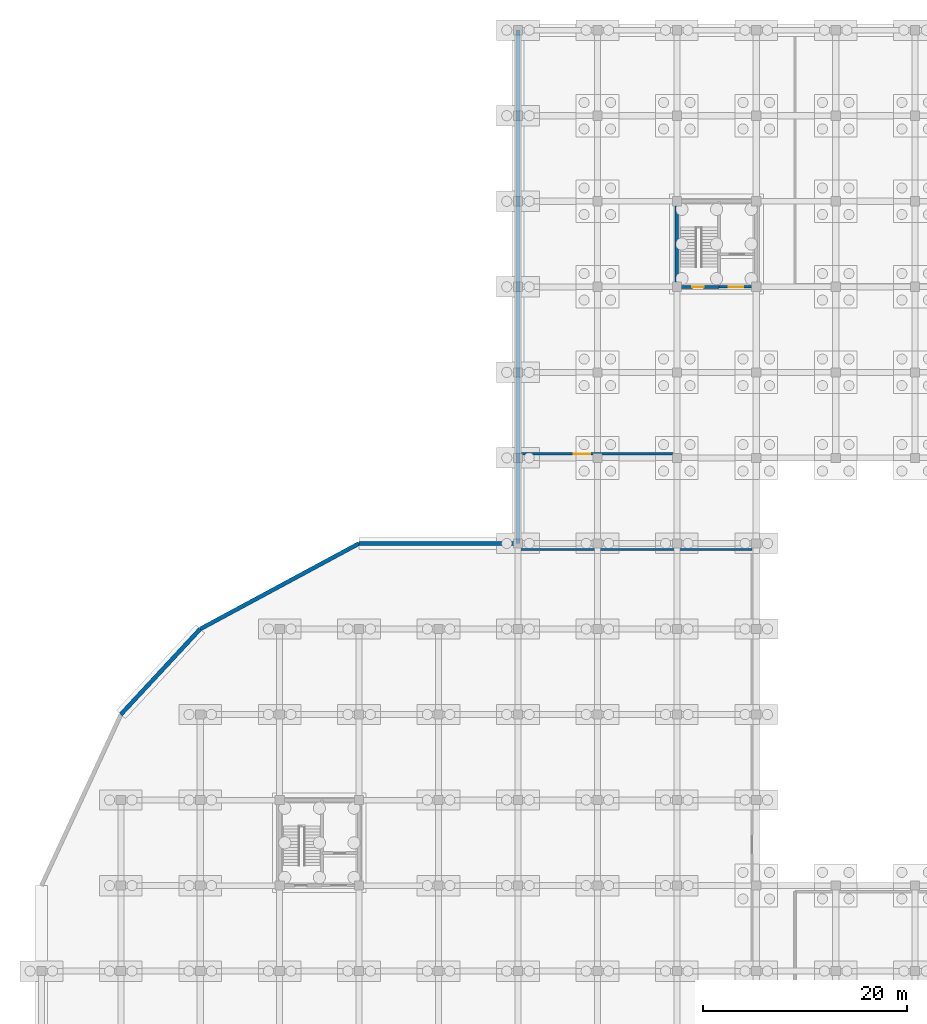
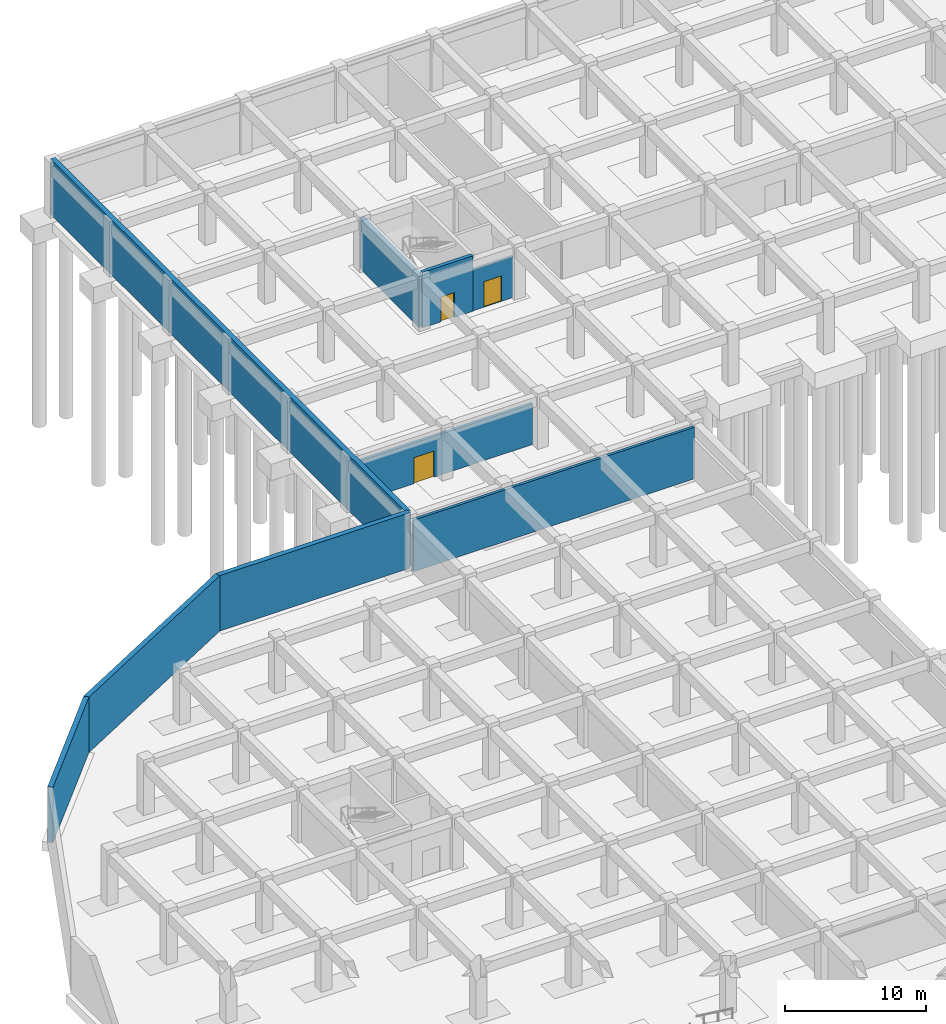
# One storey, part 21 of 31: 9 walls, 3 doors, 3 openings.
"""IFC4 building model written with IfcOpenShell, lengths in metres."""

from ifc_helpers import new_model, si_unit, direction, frame, frame_2d, origin, place, context, subcontext, project, spatial, rectangle, extrude, material, layer, layer_set, type_object, element, fill, save


model = new_model("IFC4")

# Units and contexts
model_context = context("Model", 3, precision=1e-05, world=origin(), true_north=direction((0.0, 1.0)))
body_context = subcontext(model_context, "Body", "Model", "MODEL_VIEW")
ifc_project = project(units=[si_unit("LENGTHUNIT", "METRE"), si_unit("AREAUNIT", "SQUARE_METRE"), si_unit("VOLUMEUNIT", "CUBIC_METRE"), si_unit("PLANEANGLEUNIT", "RADIAN"), si_unit("MASSUNIT", "GRAM", prefix="KILO")], contexts=[model_context])

# Site, building, storey
site_placement = place(None, origin())
site = spatial("IfcSite", under=ifc_project, at=site_placement, CompositionType="ELEMENT")
building_placement = place(site_placement, origin())
building = spatial("IfcBuilding", under=site, at=building_placement, Name="Zizhar Promenade General Hospital", CompositionType="ELEMENT")
storey_placement = place(building_placement, frame((0.0, 0.0, -4.800048828125)))
storey = spatial("IfcBuildingStorey", under=building, at=storey_placement, Name="B1", CompositionType="ELEMENT", Elevation=-4.800048828125)

# Wall, opening, door
ifc_material_1 = material(Name="Concrete C35/45", Category="concrete")
ifc_layer_1 = layer(ifc_material_1, 0.215087890625)
ifc_layer_set_1 = layer_set([ifc_layer_1], Name="Concrete C35/45")
wall_type_1 = type_object("IfcWallType", Name="IW-LOBBY-215", PredefinedType="STANDARD", material=ifc_layer_set_1)
wall_1_placement = place(storey_placement, frame((66.550048828125, 109.199951171875, 0.0), z_axis=(0.0, 0.0, 1.0), x_axis=(1.0, 0.0, 0.0)))
wall_1 = element("IfcWall", 1, at=wall_1_placement, inside=storey, type_object=wall_type_1, Name="Core C6 Lift Lobby South Fire Wall (B1)", PredefinedType="STANDARD", context=body_context, shape_type="SweptSolid", body=[
    extrude(rectangle(XDim=3.2900390625, YDim=0.215087890625, at=frame_2d((1.64501953125, 0.0))), origin(), (0.0, 0.0, 1.0), 3.530029296875),
])
opening_1_placement = place(wall_1_placement, frame((0.925048828125, 0.0, 0.0)))
opening_1 = element("IfcOpeningElement", 2, at=opening_1_placement, cuts=wall_1, Name="Opening D-23", PredefinedType="OPENING", context=body_context, shape_type="SweptSolid", body=[
    extrude(rectangle(XDim=1.43994140625, YDim=2.199951171875, at=frame_2d((0.719970703125, 1.10009765625))), frame((0.0, 0.11767578125, 0.0), z_axis=(0.0, -1.0, 0.0), x_axis=(1.0, 0.0, 0.0)), (0.0, 0.0, 1.0), 0.235107421875),
])
ifc_material_2 = material(Name="Fire-rated timber lift lobby pair", Category="wood")
door_type_1 = type_object("IfcDoorType", Name="DR-LOBBY-PR-144x220", OperationType="DOUBLE_DOOR_SINGLE_SWING", PredefinedType="DOOR", material=ifc_material_2)
door_1_placement = place(opening_1_placement, origin())
door_1 = element("IfcDoor", 3, at=door_1_placement, inside=storey, type_object=door_type_1, Name="Core C6 Protected Lift Lobby Door (B1)", OperationType="DOUBLE_DOOR_SINGLE_SWING", OverallHeight=2.199951171875, OverallWidth=1.43994140625, PredefinedType="DOOR", context=body_context, shape_type="SweptSolid", body=[
    extrude(rectangle(XDim=1.43994140625, YDim=2.199951171875, at=frame_2d((0.719970703125, 1.10009765625))), frame((0.0, 0.02490234375, 0.0), z_axis=(0.0, -1.0, 0.0), x_axis=(1.0, 0.0, 0.0)), (0.0, 0.0, 1.0), 0.050048828125),
])
fill(opening_1, door_1)

# Wall
ifc_material_3 = material(Name="Concrete block masonry C30/37", Category="masonry")
ifc_layer_2 = layer(ifc_material_3, 0.22998046875)
ifc_layer_set_2 = layer_set([ifc_layer_2], Name="Concrete block masonry C30/37")
wall_type_2 = type_object("IfcWallType", Name="IW-PLNT-230", PredefinedType="STANDARD", material=ifc_layer_set_2)
wall_2_placement = place(storey_placement, frame((46.800048828125, 83.39990234375, 0.0), z_axis=(0.0, 0.0, 1.0), x_axis=(1.0, 0.0, 0.0)))
element("IfcWall", 4, at=wall_2_placement, inside=storey, type_object=wall_type_2, Name="Chiller and Heat-Pump Plant Room N Partition", PredefinedType="STANDARD", context=body_context, shape_type="SweptSolid", body=[
    extrude(rectangle(XDim=23.0, YDim=0.22998046875, at=frame_2d((11.5, 0.0))), origin(), (0.0, 0.0, 1.0), 4.4599609375),
])

# Wall, opening, door
wall_3_placement = place(storey_placement, frame((47.159912109375, 92.800048828125, 0.0), z_axis=(0.0, 0.0, 1.0), x_axis=(1.0, 0.0, 0.0)))
wall_3 = element("IfcWall", 5, at=wall_3_placement, inside=storey, type_object=wall_type_2, Name="Standby Power Plant Room S Partition", PredefinedType="STANDARD", context=body_context, shape_type="SweptSolid", body=[
    extrude(rectangle(XDim=14.840087890625, YDim=0.22998046875, at=frame_2d((7.419921875, 0.0))), origin(), (0.0, 0.0, 1.0), 3.530029296875),
])
opening_2_placement = place(wall_3_placement, frame((5.111083984375, 0.0, 0.0)))
opening_2 = element("IfcOpeningElement", 6, at=opening_2_placement, cuts=wall_3, Name="Opening D-24", PredefinedType="OPENING", context=body_context, shape_type="SweptSolid", body=[
    extrude(rectangle(XDim=1.64990234375, YDim=2.25, at=frame_2d((0.824951171875, 1.125))), frame((0.0, 0.125, 0.0), z_axis=(0.0, -1.0, 0.0), x_axis=(1.0, 0.0, 0.0)), (0.0, 0.0, 1.0), 0.25),
])
ifc_material_4 = material(Name="Steel S355 acoustic plant pair", Category="steel")
door_type_2 = type_object("IfcDoorType", Name="DR-PLNT-165x225", OperationType="DOUBLE_DOOR_SINGLE_SWING", PredefinedType="DOOR", material=ifc_material_4)
door_2_placement = place(opening_2_placement, origin())
door_2 = element("IfcDoor", 7, at=door_2_placement, inside=storey, type_object=door_type_2, Name="Standby Power Plant Room Door", OperationType="DOUBLE_DOOR_SINGLE_SWING", OverallHeight=2.25, OverallWidth=1.64990234375, PredefinedType="DOOR", context=body_context, shape_type="SweptSolid", body=[
    extrude(rectangle(XDim=1.64990234375, YDim=2.25, at=frame_2d((0.824951171875, 1.125))), frame((0.0, 0.02490234375, 0.0), z_axis=(0.0, -1.0, 0.0), x_axis=(1.0, 0.0, 0.0)), (0.0, 0.0, 1.0), 0.050048828125),
])
fill(opening_2, door_2)

# Walls
ifc_material_5 = material(Name="Concrete C35/45", Category="concrete")
ifc_layer_3 = layer(ifc_material_5, 0.39990234375)
ifc_layer_set_3 = layer_set([ifc_layer_3], Name="Concrete C35/45")
wall_type_3 = type_object("IfcWallType", Name="WL-BSMT-400", PredefinedType="SOLIDWALL", material=ifc_layer_set_3)
wall_4_placement = place(storey_placement, frame((46.800048828125, 134.39990234375, 0.0), z_axis=(0.0, 0.0, 1.0), x_axis=(0.0, -1.0, 0.0)))
element("IfcWall", 8, at=wall_4_placement, inside=storey, type_object=wall_type_3, Name="Basement Retaining Wall B08", PredefinedType="SOLIDWALL", context=body_context, shape_type="SweptSolid", body=[
    extrude(rectangle(XDim=50.39990234375, YDim=0.39990234375, at=frame_2d((25.199951171875, 0.0))), origin(), (0.0, 0.0, 1.0), 4.800048828125),
])
wall_5_placement = place(storey_placement, frame((46.800048828125, 84.0, 0.0), z_axis=(0.0, 0.0, 1.0), x_axis=(-1.0, 0.0, 0.0)))
element("IfcWall", 9, at=wall_5_placement, inside=storey, type_object=wall_type_3, Name="Basement Retaining Wall B09", PredefinedType="SOLIDWALL", context=body_context, shape_type="SweptSolid", body=[
    extrude(rectangle(XDim=15.60009765625, YDim=0.39990234375, at=frame_2d((7.800048828125, 0.0))), origin(), (0.0, 0.0, 1.0), 4.800048828125),
])
wall_6_placement = place(storey_placement, frame((31.199951171875, 84.0, 0.0), z_axis=(0.0, 0.0, 1.0), x_axis=(-0.880471542384, -0.474099001319, 0.0)))
element("IfcWall", 10, at=wall_6_placement, inside=storey, type_object=wall_type_3, Name="Basement Retaining Wall B10", PredefinedType="SOLIDWALL", context=body_context, shape_type="SweptSolid", body=[
    extrude(rectangle(XDim=17.717529296875, YDim=0.39990234375, at=frame_2d((8.85888671875, 0.0))), origin(), (0.0, 0.0, 1.0), 4.800048828125),
])
wall_7_placement = place(storey_placement, frame((15.60009765625, 75.60009765625, 0.0), z_axis=(0.0, 0.0, 1.0), x_axis=(-0.680447014825, -0.732797284394, 0.0)))
element("IfcWall", 11, at=wall_7_placement, inside=storey, type_object=wall_type_3, Name="Basement Retaining Wall B11", PredefinedType="SOLIDWALL", context=body_context, shape_type="SweptSolid", body=[
    extrude(rectangle(XDim=11.463134765625, YDim=0.39990234375, at=frame_2d((5.7314453125, 0.0))), origin(), (0.0, 0.0, 1.0), 4.800048828125),
])

# Wall, opening, door
ifc_material_6 = material(Name="Concrete C40/50", Category="concrete")
ifc_layer_4 = layer(ifc_material_6, 0.300048828125)
ifc_layer_set_4 = layer_set([ifc_layer_4], Name="Concrete C40/50")
wall_type_4 = type_object("IfcWallType", Name="WL-CORE-300", PredefinedType="SHEAR", material=ifc_layer_set_4)
wall_8_placement = place(storey_placement, frame((62.39990234375, 109.199951171875, 0.0), z_axis=(0.0, 0.0, 1.0), x_axis=(1.0, 0.0, 0.0)))
wall_8 = element("IfcWall", 12, at=wall_8_placement, inside=storey, type_object=wall_type_4, Name="Core C6 Stair South Fire Wall (B1)", PredefinedType="SHEAR", context=body_context, shape_type="SweptSolid", body=[
    extrude(rectangle(XDim=4.150146484375, YDim=0.300048828125, at=frame_2d((2.0751953125, 0.0))), origin(), (0.0, 0.0, 1.0), 4.800048828125),
])
opening_3_placement = place(wall_8_placement, frame((1.514892578125, 0.0, 0.0)))
opening_3 = element("IfcOpeningElement", 13, at=opening_3_placement, cuts=wall_8, Name="Opening D-21", PredefinedType="OPENING", context=body_context, shape_type="SweptSolid", body=[
    extrude(rectangle(XDim=1.1201171875, YDim=2.14990234375, at=frame_2d((0.56005859375, 1.074951171875))), frame((0.0, 0.16015625, 0.0), z_axis=(0.0, -1.0, 0.0), x_axis=(1.0, 0.0, 0.0)), (0.0, 0.0, 1.0), 0.320068359375),
])
ifc_material_7 = material(Name="Steel S355 protected stair door", Category="steel")
door_type_3 = type_object("IfcDoorType", Name="DR-STAIR-112x215", OperationType="NOTDEFINED", PredefinedType="DOOR", material=ifc_material_7)
door_3_placement = place(opening_3_placement, origin())
door_3 = element("IfcDoor", 14, at=door_3_placement, inside=storey, type_object=door_type_3, Name="Exit Stair ST-06 Door (B1)", OperationType="SINGLE_SWING_RIGHT", OverallHeight=2.14990234375, OverallWidth=1.1201171875, PredefinedType="DOOR", context=body_context, shape_type="SweptSolid", body=[
    extrude(rectangle(XDim=1.1201171875, YDim=2.14990234375, at=frame_2d((0.56005859375, 1.074951171875))), frame((0.0, 0.02490234375, 0.0), z_axis=(0.0, -1.0, 0.0), x_axis=(1.0, 0.0, 0.0)), (0.0, 0.0, 1.0), 0.050048828125),
])
fill(opening_3, door_3)

# Wall
ifc_material_8 = material(Name="Concrete C40/50", Category="concrete")
ifc_layer_5 = layer(ifc_material_8, 0.35009765625)
ifc_layer_set_5 = layer_set([ifc_layer_5], Name="Concrete C40/50")
wall_type_5 = type_object("IfcWallType", Name="WL-CORE-350", PredefinedType="SHEAR", material=ifc_layer_set_5)
wall_9_placement = place(storey_placement, frame((62.39990234375, 109.199951171875, 0.0), z_axis=(0.0, 0.0, 1.0), x_axis=(0.0, 1.0, 0.0)))
element("IfcWall", 15, at=wall_9_placement, inside=storey, type_object=wall_type_5, Name="Core C6 West Shear Wall B1", PredefinedType="SHEAR", context=body_context, shape_type="SweptSolid", body=[
    extrude(rectangle(XDim=8.400146484375, YDim=0.35009765625, at=frame_2d((4.2001953125, 0.0))), origin(), (0.0, 0.0, 1.0), 4.400146484375),
])

save(model, "model.ifc")
